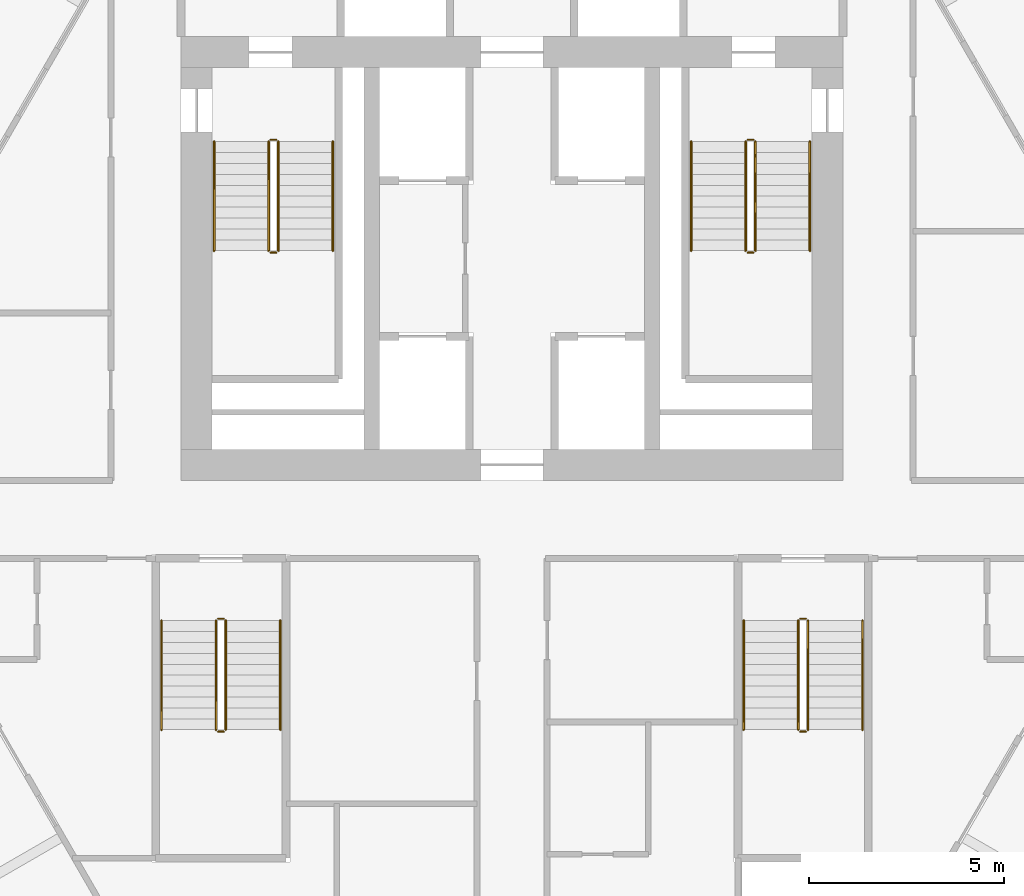
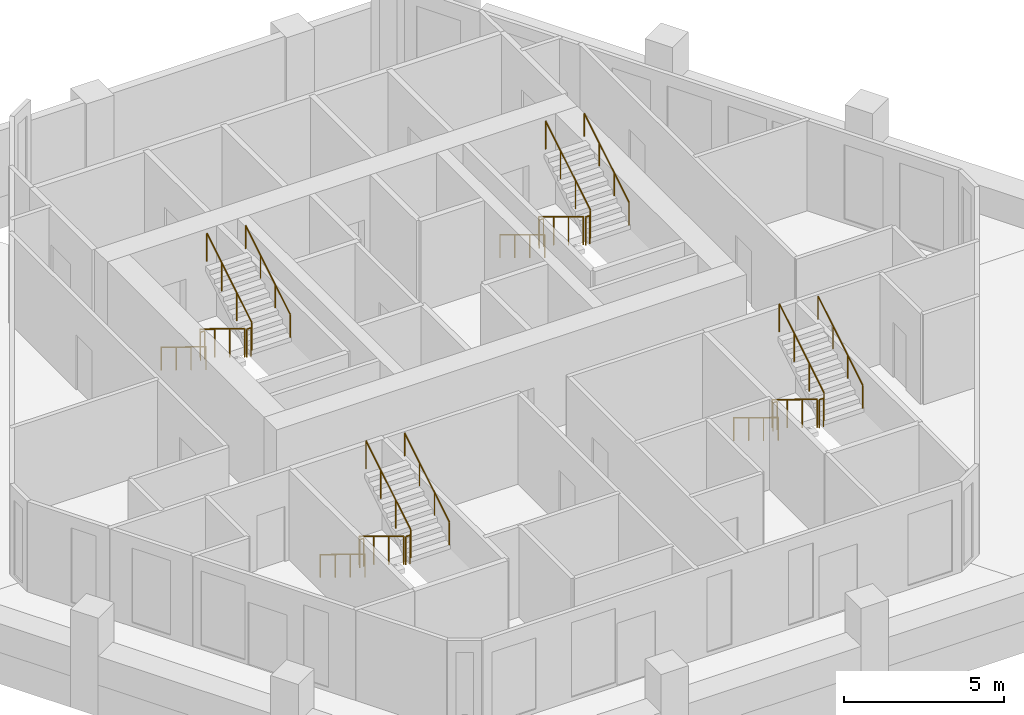
# One storey, part 7 of 7: 24 railings.
"""IFC4 building model written with IfcOpenShell, lengths in metres."""

from ifc_helpers import new_model, si_unit, direction, frame, origin, origin_2d, place, context, subcontext, project, spatial, circle, extrude, material, type_object, element, save


model = new_model("IFC4")

# Units and contexts
model_context = context("Model", 3, precision=1e-05, world=origin(), true_north=direction((0.0, 1.0)))
body_context = subcontext(model_context, "Body", "Model", "MODEL_VIEW")
ifc_project = project(units=[si_unit("LENGTHUNIT", "METRE"), si_unit("AREAUNIT", "SQUARE_METRE"), si_unit("VOLUMEUNIT", "CUBIC_METRE"), si_unit("PLANEANGLEUNIT", "RADIAN"), si_unit("MASSUNIT", "GRAM", prefix="KILO")], contexts=[model_context])

# Site, building, storey
site_placement = place(None, origin())
site = spatial("IfcSite", under=ifc_project, at=site_placement, CompositionType="ELEMENT")
building_placement = place(site_placement, origin())
building = spatial("IfcBuilding", under=site, at=building_placement, Name="Ostrander Bayou Hotel Tower", CompositionType="ELEMENT")
storey_placement = place(building_placement, frame((0.0, 0.0, 179.5)))
storey = spatial("IfcBuildingStorey", under=building, at=storey_placement, Name="L44", CompositionType="ELEMENT", Elevation=179.5)

# Railings
ifc_material_1 = material(Name="Steel ASTM A500 Gr C", Category="steel")
railing_type_1 = type_object("IfcRailingType", Name="GR1 stair guard 1100 mm steel", PredefinedType="GUARDRAIL", material=ifc_material_1)
railing_1_placement = place(storey_placement, frame((-6.25, 7.0, 0.17041015625)))
element("IfcRailing", 1, at=railing_1_placement, inside=storey, type_object=railing_type_1, Name="L44 STA stair guard 1", PredefinedType="GUARDRAIL", context=body_context, shape_type="SweptSolid", body=[
    extrude(circle(Radius=0.02392578125, at=origin_2d()), frame((0.0, 0.0, 1.076171875), z_axis=(0.0, -0.854169791009, 0.51999420009), x_axis=(1.0, 0.0, 0.0)), (0.0, 0.0, 1.0), 3.278076171875),
    extrude(circle(Radius=0.02099609375, at=origin_2d()), origin(), (0.0, 0.0, 1.0), 1.052001953125),
    extrude(circle(Radius=0.02099609375, at=origin_2d()), frame((0.0, -0.933349609375, 0.568115234375)), (0.0, 0.0, 1.0), 1.052001953125),
    extrude(circle(Radius=0.02099609375, at=origin_2d()), frame((0.0, -1.86669921875, 1.136474609375)), (0.0, 0.0, 1.0), 1.052001953125),
    extrude(circle(Radius=0.02099609375, at=origin_2d()), frame((0.0, -2.800048828125, 1.70458984375)), (0.0, 0.0, 1.0), 1.052001953125),
])
railing_2_placement = place(storey_placement, frame((-6.199951171875, 4.14990234375, 1.875)))
element("IfcRailing", 2, at=railing_2_placement, inside=storey, type_object=railing_type_1, Name="L44 STA stair guard 2", PredefinedType="GUARDRAIL", context=body_context, shape_type="SweptSolid", body=[
    extrude(circle(Radius=0.02392578125, at=origin_2d()), frame((0.0, 0.0, 1.076171875), z_axis=(1.0, 0.0, 0.0), x_axis=(0.0, 1.0, 0.0)), (0.0, 0.0, 1.0), 0.14990234375),
    extrude(circle(Radius=0.02099609375, at=origin_2d()), origin(), (0.0, 0.0, 1.0), 1.052001953125),
    extrude(circle(Radius=0.02099609375, at=origin_2d()), frame((0.14990234375, 0.0, 0.0)), (0.0, 0.0, 1.0), 1.052001953125),
])
railing_3_placement = place(storey_placement, frame((-6.0, 4.199951171875, 2.04541015625)))
element("IfcRailing", 3, at=railing_3_placement, inside=storey, type_object=railing_type_1, Name="L44 STA stair guard 3", PredefinedType="GUARDRAIL", context=body_context, shape_type="SweptSolid", body=[
    extrude(circle(Radius=0.02392578125, at=origin_2d()), frame((0.0, 0.0, 1.076171875), z_axis=(0.0, 0.854169791009, 0.51999420009), x_axis=(-1.0, 0.0, 0.0)), (0.0, 0.0, 1.0), 3.278076171875),
    extrude(circle(Radius=0.02099609375, at=origin_2d()), origin(), (0.0, 0.0, 1.0), 1.052001953125),
    extrude(circle(Radius=0.02099609375, at=origin_2d()), frame((0.0, 0.933349609375, 0.568115234375)), (0.0, 0.0, 1.0), 1.052001953125),
    extrude(circle(Radius=0.02099609375, at=origin_2d()), frame((0.0, 1.86669921875, 1.136474609375)), (0.0, 0.0, 1.0), 1.052001953125),
    extrude(circle(Radius=0.02099609375, at=origin_2d()), frame((0.0, 2.800048828125, 1.70458984375)), (0.0, 0.0, 1.0), 1.052001953125),
])
railing_4_placement = place(storey_placement, frame((-6.199951171875, 7.050048828125, 0.0)))
element("IfcRailing", 4, at=railing_4_placement, inside=storey, type_object=railing_type_1, Name="L44 STA stair guard 4", PredefinedType="GUARDRAIL", context=body_context, shape_type="SweptSolid", body=[
    extrude(circle(Radius=0.02392578125, at=origin_2d()), frame((0.0, 0.0, 1.076171875), z_axis=(1.0, 0.0, 0.0), x_axis=(0.0, 1.0, 0.0)), (0.0, 0.0, 1.0), 0.14990234375),
    extrude(circle(Radius=0.02099609375, at=origin_2d()), origin(), (0.0, 0.0, 1.0), 1.052001953125),
    extrude(circle(Radius=0.02099609375, at=origin_2d()), frame((0.14990234375, 0.0, 0.0)), (0.0, 0.0, 1.0), 1.052001953125),
])
railing_5_placement = place(storey_placement, frame((6.0, 7.0, 0.17041015625)))
element("IfcRailing", 5, at=railing_5_placement, inside=storey, type_object=railing_type_1, Name="L44 STB stair guard 1", PredefinedType="GUARDRAIL", context=body_context, shape_type="SweptSolid", body=[
    extrude(circle(Radius=0.02392578125, at=origin_2d()), frame((0.0, 0.0, 1.076171875), z_axis=(0.0, -0.854169791009, 0.51999420009), x_axis=(1.0, 0.0, 0.0)), (0.0, 0.0, 1.0), 3.278076171875),
    extrude(circle(Radius=0.02099609375, at=origin_2d()), origin(), (0.0, 0.0, 1.0), 1.052001953125),
    extrude(circle(Radius=0.02099609375, at=origin_2d()), frame((0.0, -0.933349609375, 0.568115234375)), (0.0, 0.0, 1.0), 1.052001953125),
    extrude(circle(Radius=0.02099609375, at=origin_2d()), frame((0.0, -1.86669921875, 1.136474609375)), (0.0, 0.0, 1.0), 1.052001953125),
    extrude(circle(Radius=0.02099609375, at=origin_2d()), frame((0.0, -2.800048828125, 1.70458984375)), (0.0, 0.0, 1.0), 1.052001953125),
])
railing_6_placement = place(storey_placement, frame((6.050048828125, 4.14990234375, 1.875)))
element("IfcRailing", 6, at=railing_6_placement, inside=storey, type_object=railing_type_1, Name="L44 STB stair guard 2", PredefinedType="GUARDRAIL", context=body_context, shape_type="SweptSolid", body=[
    extrude(circle(Radius=0.02392578125, at=origin_2d()), frame((0.0, 0.0, 1.076171875), z_axis=(1.0, 0.0, 0.0), x_axis=(0.0, 1.0, 0.0)), (0.0, 0.0, 1.0), 0.14990234375),
    extrude(circle(Radius=0.02099609375, at=origin_2d()), origin(), (0.0, 0.0, 1.0), 1.052001953125),
    extrude(circle(Radius=0.02099609375, at=origin_2d()), frame((0.14990234375, 0.0, 0.0)), (0.0, 0.0, 1.0), 1.052001953125),
])
railing_7_placement = place(storey_placement, frame((6.25, 4.199951171875, 2.04541015625)))
element("IfcRailing", 7, at=railing_7_placement, inside=storey, type_object=railing_type_1, Name="L44 STB stair guard 3", PredefinedType="GUARDRAIL", context=body_context, shape_type="SweptSolid", body=[
    extrude(circle(Radius=0.02392578125, at=origin_2d()), frame((0.0, 0.0, 1.076171875), z_axis=(0.0, 0.854169791009, 0.51999420009), x_axis=(-1.0, 0.0, 0.0)), (0.0, 0.0, 1.0), 3.278076171875),
    extrude(circle(Radius=0.02099609375, at=origin_2d()), origin(), (0.0, 0.0, 1.0), 1.052001953125),
    extrude(circle(Radius=0.02099609375, at=origin_2d()), frame((0.0, 0.933349609375, 0.568115234375)), (0.0, 0.0, 1.0), 1.052001953125),
    extrude(circle(Radius=0.02099609375, at=origin_2d()), frame((0.0, 1.86669921875, 1.136474609375)), (0.0, 0.0, 1.0), 1.052001953125),
    extrude(circle(Radius=0.02099609375, at=origin_2d()), frame((0.0, 2.800048828125, 1.70458984375)), (0.0, 0.0, 1.0), 1.052001953125),
])
railing_8_placement = place(storey_placement, frame((6.050048828125, 7.050048828125, 0.0)))
element("IfcRailing", 8, at=railing_8_placement, inside=storey, type_object=railing_type_1, Name="L44 STB stair guard 4", PredefinedType="GUARDRAIL", context=body_context, shape_type="SweptSolid", body=[
    extrude(circle(Radius=0.02392578125, at=origin_2d()), frame((0.0, 0.0, 1.076171875), z_axis=(1.0, 0.0, 0.0), x_axis=(0.0, 1.0, 0.0)), (0.0, 0.0, 1.0), 0.14990234375),
    extrude(circle(Radius=0.02099609375, at=origin_2d()), origin(), (0.0, 0.0, 1.0), 1.052001953125),
    extrude(circle(Radius=0.02099609375, at=origin_2d()), frame((0.14990234375, 0.0, 0.0)), (0.0, 0.0, 1.0), 1.052001953125),
])
railing_9_placement = place(storey_placement, frame((7.35009765625, -5.300048828125, 0.17041015625)))
element("IfcRailing", 9, at=railing_9_placement, inside=storey, type_object=railing_type_1, Name="L44 STC stair guard 1", PredefinedType="GUARDRAIL", context=body_context, shape_type="SweptSolid", body=[
    extrude(circle(Radius=0.02392578125, at=origin_2d()), frame((0.0, 0.0, 1.076171875), z_axis=(0.0, -0.854169791009, 0.51999420009), x_axis=(1.0, 0.0, 0.0)), (0.0, 0.0, 1.0), 3.278076171875),
    extrude(circle(Radius=0.02099609375, at=origin_2d()), origin(), (0.0, 0.0, 1.0), 1.052001953125),
    extrude(circle(Radius=0.02099609375, at=origin_2d()), frame((0.0, -0.933349609375, 0.568115234375)), (0.0, 0.0, 1.0), 1.052001953125),
    extrude(circle(Radius=0.02099609375, at=origin_2d()), frame((0.0, -1.86669921875, 1.136474609375)), (0.0, 0.0, 1.0), 1.052001953125),
    extrude(circle(Radius=0.02099609375, at=origin_2d()), frame((0.0, -2.800048828125, 1.70458984375)), (0.0, 0.0, 1.0), 1.052001953125),
])
railing_10_placement = place(storey_placement, frame((7.39990234375, -8.14990234375, 1.875)))
element("IfcRailing", 10, at=railing_10_placement, inside=storey, type_object=railing_type_1, Name="L44 STC stair guard 2", PredefinedType="GUARDRAIL", context=body_context, shape_type="SweptSolid", body=[
    extrude(circle(Radius=0.02392578125, at=origin_2d()), frame((0.0, 0.0, 1.076171875), z_axis=(1.0, 0.0, 0.0), x_axis=(0.0, 1.0, 0.0)), (0.0, 0.0, 1.0), 0.150146484375),
    extrude(circle(Radius=0.02099609375, at=origin_2d()), origin(), (0.0, 0.0, 1.0), 1.052001953125),
    extrude(circle(Radius=0.02099609375, at=origin_2d()), frame((0.150146484375, 0.0, 0.0)), (0.0, 0.0, 1.0), 1.052001953125),
])
railing_11_placement = place(storey_placement, frame((7.60009765625, -8.10009765625, 2.04541015625)))
element("IfcRailing", 11, at=railing_11_placement, inside=storey, type_object=railing_type_1, Name="L44 STC stair guard 3", PredefinedType="GUARDRAIL", context=body_context, shape_type="SweptSolid", body=[
    extrude(circle(Radius=0.02392578125, at=origin_2d()), frame((0.0, 0.0, 1.076171875), z_axis=(0.0, 0.854169791009, 0.51999420009), x_axis=(-1.0, 0.0, 0.0)), (0.0, 0.0, 1.0), 3.278076171875),
    extrude(circle(Radius=0.02099609375, at=origin_2d()), origin(), (0.0, 0.0, 1.0), 1.052001953125),
    extrude(circle(Radius=0.02099609375, at=origin_2d()), frame((0.0, 0.933349609375, 0.568115234375)), (0.0, 0.0, 1.0), 1.052001953125),
    extrude(circle(Radius=0.02099609375, at=origin_2d()), frame((0.0, 1.86669921875, 1.136474609375)), (0.0, 0.0, 1.0), 1.052001953125),
    extrude(circle(Radius=0.02099609375, at=origin_2d()), frame((0.0, 2.800048828125, 1.70458984375)), (0.0, 0.0, 1.0), 1.052001953125),
])
railing_12_placement = place(storey_placement, frame((7.39990234375, -5.25, 0.0)))
element("IfcRailing", 12, at=railing_12_placement, inside=storey, type_object=railing_type_1, Name="L44 STC stair guard 4", PredefinedType="GUARDRAIL", context=body_context, shape_type="SweptSolid", body=[
    extrude(circle(Radius=0.02392578125, at=origin_2d()), frame((0.0, 0.0, 1.076171875), z_axis=(1.0, 0.0, 0.0), x_axis=(0.0, 1.0, 0.0)), (0.0, 0.0, 1.0), 0.150146484375),
    extrude(circle(Radius=0.02099609375, at=origin_2d()), origin(), (0.0, 0.0, 1.0), 1.052001953125),
    extrude(circle(Radius=0.02099609375, at=origin_2d()), frame((0.150146484375, 0.0, 0.0)), (0.0, 0.0, 1.0), 1.052001953125),
])
railing_13_placement = place(storey_placement, frame((-7.60009765625, -5.300048828125, 0.17041015625)))
element("IfcRailing", 13, at=railing_13_placement, inside=storey, type_object=railing_type_1, Name="L44 STD stair guard 1", PredefinedType="GUARDRAIL", context=body_context, shape_type="SweptSolid", body=[
    extrude(circle(Radius=0.02392578125, at=origin_2d()), frame((0.0, 0.0, 1.076171875), z_axis=(0.0, -0.854169791009, 0.51999420009), x_axis=(1.0, 0.0, 0.0)), (0.0, 0.0, 1.0), 3.278076171875),
    extrude(circle(Radius=0.02099609375, at=origin_2d()), origin(), (0.0, 0.0, 1.0), 1.052001953125),
    extrude(circle(Radius=0.02099609375, at=origin_2d()), frame((0.0, -0.933349609375, 0.568115234375)), (0.0, 0.0, 1.0), 1.052001953125),
    extrude(circle(Radius=0.02099609375, at=origin_2d()), frame((0.0, -1.86669921875, 1.136474609375)), (0.0, 0.0, 1.0), 1.052001953125),
    extrude(circle(Radius=0.02099609375, at=origin_2d()), frame((0.0, -2.800048828125, 1.70458984375)), (0.0, 0.0, 1.0), 1.052001953125),
])
railing_14_placement = place(storey_placement, frame((-7.550048828125, -8.14990234375, 1.875)))
element("IfcRailing", 14, at=railing_14_placement, inside=storey, type_object=railing_type_1, Name="L44 STD stair guard 2", PredefinedType="GUARDRAIL", context=body_context, shape_type="SweptSolid", body=[
    extrude(circle(Radius=0.02392578125, at=origin_2d()), frame((0.0, 0.0, 1.076171875), z_axis=(1.0, 0.0, 0.0), x_axis=(0.0, 1.0, 0.0)), (0.0, 0.0, 1.0), 0.150146484375),
    extrude(circle(Radius=0.02099609375, at=origin_2d()), origin(), (0.0, 0.0, 1.0), 1.052001953125),
    extrude(circle(Radius=0.02099609375, at=origin_2d()), frame((0.150146484375, 0.0, 0.0)), (0.0, 0.0, 1.0), 1.052001953125),
])
railing_15_placement = place(storey_placement, frame((-7.35009765625, -8.10009765625, 2.04541015625)))
element("IfcRailing", 15, at=railing_15_placement, inside=storey, type_object=railing_type_1, Name="L44 STD stair guard 3", PredefinedType="GUARDRAIL", context=body_context, shape_type="SweptSolid", body=[
    extrude(circle(Radius=0.02392578125, at=origin_2d()), frame((0.0, 0.0, 1.076171875), z_axis=(0.0, 0.854169791009, 0.51999420009), x_axis=(-1.0, 0.0, 0.0)), (0.0, 0.0, 1.0), 3.278076171875),
    extrude(circle(Radius=0.02099609375, at=origin_2d()), origin(), (0.0, 0.0, 1.0), 1.052001953125),
    extrude(circle(Radius=0.02099609375, at=origin_2d()), frame((0.0, 0.933349609375, 0.568115234375)), (0.0, 0.0, 1.0), 1.052001953125),
    extrude(circle(Radius=0.02099609375, at=origin_2d()), frame((0.0, 1.86669921875, 1.136474609375)), (0.0, 0.0, 1.0), 1.052001953125),
    extrude(circle(Radius=0.02099609375, at=origin_2d()), frame((0.0, 2.800048828125, 1.70458984375)), (0.0, 0.0, 1.0), 1.052001953125),
])
railing_16_placement = place(storey_placement, frame((-7.550048828125, -5.25, 0.0)))
element("IfcRailing", 16, at=railing_16_placement, inside=storey, type_object=railing_type_1, Name="L44 STD stair guard 4", PredefinedType="GUARDRAIL", context=body_context, shape_type="SweptSolid", body=[
    extrude(circle(Radius=0.02392578125, at=origin_2d()), frame((0.0, 0.0, 1.076171875), z_axis=(1.0, 0.0, 0.0), x_axis=(0.0, 1.0, 0.0)), (0.0, 0.0, 1.0), 0.150146484375),
    extrude(circle(Radius=0.02099609375, at=origin_2d()), origin(), (0.0, 0.0, 1.0), 1.052001953125),
    extrude(circle(Radius=0.02099609375, at=origin_2d()), frame((0.150146484375, 0.0, 0.0)), (0.0, 0.0, 1.0), 1.052001953125),
])
ifc_material_2 = material(Name="Steel ASTM A500 Gr C", Category="steel")
railing_type_2 = type_object("IfcRailingType", Name="HR1 stair handrail 900 mm steel", PredefinedType="HANDRAIL", material=ifc_material_2)
railing_17_placement = place(storey_placement, frame((-7.64990234375, 7.0, 0.17041015625)))
element("IfcRailing", 17, at=railing_17_placement, inside=storey, type_object=railing_type_2, Name="L44 STA stair handrail 1", PredefinedType="HANDRAIL", context=body_context, shape_type="SweptSolid", body=[
    extrude(circle(Radius=0.02392578125, at=origin_2d()), frame((0.0, 0.0, 0.8759765625), z_axis=(0.0, -0.854169791009, 0.51999420009), x_axis=(1.0, 0.0, 0.0)), (0.0, 0.0, 1.0), 3.278076171875),
    extrude(circle(Radius=0.02099609375, at=origin_2d()), origin(), (0.0, 0.0, 1.0), 0.851806640625),
    extrude(circle(Radius=0.02099609375, at=origin_2d()), frame((0.0, -0.933349609375, 0.568115234375)), (0.0, 0.0, 1.0), 0.851806640625),
    extrude(circle(Radius=0.02099609375, at=origin_2d()), frame((0.0, -1.86669921875, 1.136474609375)), (0.0, 0.0, 1.0), 0.851806640625),
    extrude(circle(Radius=0.02099609375, at=origin_2d()), frame((0.0, -2.800048828125, 1.70458984375)), (0.0, 0.0, 1.0), 0.851806640625),
])
railing_18_placement = place(storey_placement, frame((-4.60009765625, 4.199951171875, 2.04541015625)))
element("IfcRailing", 18, at=railing_18_placement, inside=storey, type_object=railing_type_2, Name="L44 STA stair handrail 2", PredefinedType="HANDRAIL", context=body_context, shape_type="SweptSolid", body=[
    extrude(circle(Radius=0.02392578125, at=origin_2d()), frame((0.0, 0.0, 0.8759765625), z_axis=(0.0, 0.854169791009, 0.51999420009), x_axis=(-1.0, 0.0, 0.0)), (0.0, 0.0, 1.0), 3.278076171875),
    extrude(circle(Radius=0.02099609375, at=origin_2d()), origin(), (0.0, 0.0, 1.0), 0.851806640625),
    extrude(circle(Radius=0.02099609375, at=origin_2d()), frame((0.0, 0.933349609375, 0.568115234375)), (0.0, 0.0, 1.0), 0.851806640625),
    extrude(circle(Radius=0.02099609375, at=origin_2d()), frame((0.0, 1.86669921875, 1.136474609375)), (0.0, 0.0, 1.0), 0.851806640625),
    extrude(circle(Radius=0.02099609375, at=origin_2d()), frame((0.0, 2.800048828125, 1.70458984375)), (0.0, 0.0, 1.0), 0.851806640625),
])
railing_19_placement = place(storey_placement, frame((4.60009765625, 7.0, 0.17041015625)))
element("IfcRailing", 19, at=railing_19_placement, inside=storey, type_object=railing_type_2, Name="L44 STB stair handrail 1", PredefinedType="HANDRAIL", context=body_context, shape_type="SweptSolid", body=[
    extrude(circle(Radius=0.02392578125, at=origin_2d()), frame((0.0, 0.0, 0.8759765625), z_axis=(0.0, -0.854169791009, 0.51999420009), x_axis=(1.0, 0.0, 0.0)), (0.0, 0.0, 1.0), 3.278076171875),
    extrude(circle(Radius=0.02099609375, at=origin_2d()), origin(), (0.0, 0.0, 1.0), 0.851806640625),
    extrude(circle(Radius=0.02099609375, at=origin_2d()), frame((0.0, -0.933349609375, 0.568115234375)), (0.0, 0.0, 1.0), 0.851806640625),
    extrude(circle(Radius=0.02099609375, at=origin_2d()), frame((0.0, -1.86669921875, 1.136474609375)), (0.0, 0.0, 1.0), 0.851806640625),
    extrude(circle(Radius=0.02099609375, at=origin_2d()), frame((0.0, -2.800048828125, 1.70458984375)), (0.0, 0.0, 1.0), 0.851806640625),
])
railing_20_placement = place(storey_placement, frame((7.64990234375, 4.199951171875, 2.04541015625)))
element("IfcRailing", 20, at=railing_20_placement, inside=storey, type_object=railing_type_2, Name="L44 STB stair handrail 2", PredefinedType="HANDRAIL", context=body_context, shape_type="SweptSolid", body=[
    extrude(circle(Radius=0.02392578125, at=origin_2d()), frame((0.0, 0.0, 0.8759765625), z_axis=(0.0, 0.854169791009, 0.51999420009), x_axis=(-1.0, 0.0, 0.0)), (0.0, 0.0, 1.0), 3.278076171875),
    extrude(circle(Radius=0.02099609375, at=origin_2d()), origin(), (0.0, 0.0, 1.0), 0.851806640625),
    extrude(circle(Radius=0.02099609375, at=origin_2d()), frame((0.0, 0.933349609375, 0.568115234375)), (0.0, 0.0, 1.0), 0.851806640625),
    extrude(circle(Radius=0.02099609375, at=origin_2d()), frame((0.0, 1.86669921875, 1.136474609375)), (0.0, 0.0, 1.0), 0.851806640625),
    extrude(circle(Radius=0.02099609375, at=origin_2d()), frame((0.0, 2.800048828125, 1.70458984375)), (0.0, 0.0, 1.0), 0.851806640625),
])
railing_21_placement = place(storey_placement, frame((5.949951171875, -5.300048828125, 0.17041015625)))
element("IfcRailing", 21, at=railing_21_placement, inside=storey, type_object=railing_type_2, Name="L44 STC stair handrail 1", PredefinedType="HANDRAIL", context=body_context, shape_type="SweptSolid", body=[
    extrude(circle(Radius=0.02392578125, at=origin_2d()), frame((0.0, 0.0, 0.8759765625), z_axis=(0.0, -0.854169791009, 0.51999420009), x_axis=(1.0, 0.0, 0.0)), (0.0, 0.0, 1.0), 3.278076171875),
    extrude(circle(Radius=0.02099609375, at=origin_2d()), origin(), (0.0, 0.0, 1.0), 0.851806640625),
    extrude(circle(Radius=0.02099609375, at=origin_2d()), frame((0.0, -0.933349609375, 0.568115234375)), (0.0, 0.0, 1.0), 0.851806640625),
    extrude(circle(Radius=0.02099609375, at=origin_2d()), frame((0.0, -1.86669921875, 1.136474609375)), (0.0, 0.0, 1.0), 0.851806640625),
    extrude(circle(Radius=0.02099609375, at=origin_2d()), frame((0.0, -2.800048828125, 1.70458984375)), (0.0, 0.0, 1.0), 0.851806640625),
])
railing_22_placement = place(storey_placement, frame((9.0, -8.10009765625, 2.04541015625)))
element("IfcRailing", 22, at=railing_22_placement, inside=storey, type_object=railing_type_2, Name="L44 STC stair handrail 2", PredefinedType="HANDRAIL", context=body_context, shape_type="SweptSolid", body=[
    extrude(circle(Radius=0.02392578125, at=origin_2d()), frame((0.0, 0.0, 0.8759765625), z_axis=(0.0, 0.854169791009, 0.51999420009), x_axis=(-1.0, 0.0, 0.0)), (0.0, 0.0, 1.0), 3.278076171875),
    extrude(circle(Radius=0.02099609375, at=origin_2d()), origin(), (0.0, 0.0, 1.0), 0.851806640625),
    extrude(circle(Radius=0.02099609375, at=origin_2d()), frame((0.0, 0.933349609375, 0.568115234375)), (0.0, 0.0, 1.0), 0.851806640625),
    extrude(circle(Radius=0.02099609375, at=origin_2d()), frame((0.0, 1.86669921875, 1.136474609375)), (0.0, 0.0, 1.0), 0.851806640625),
    extrude(circle(Radius=0.02099609375, at=origin_2d()), frame((0.0, 2.800048828125, 1.70458984375)), (0.0, 0.0, 1.0), 0.851806640625),
])
railing_23_placement = place(storey_placement, frame((-9.0, -5.300048828125, 0.17041015625)))
element("IfcRailing", 23, at=railing_23_placement, inside=storey, type_object=railing_type_2, Name="L44 STD stair handrail 1", PredefinedType="HANDRAIL", context=body_context, shape_type="SweptSolid", body=[
    extrude(circle(Radius=0.02392578125, at=origin_2d()), frame((0.0, 0.0, 0.8759765625), z_axis=(0.0, -0.854169791009, 0.51999420009), x_axis=(1.0, 0.0, 0.0)), (0.0, 0.0, 1.0), 3.278076171875),
    extrude(circle(Radius=0.02099609375, at=origin_2d()), origin(), (0.0, 0.0, 1.0), 0.851806640625),
    extrude(circle(Radius=0.02099609375, at=origin_2d()), frame((0.0, -0.933349609375, 0.568115234375)), (0.0, 0.0, 1.0), 0.851806640625),
    extrude(circle(Radius=0.02099609375, at=origin_2d()), frame((0.0, -1.86669921875, 1.136474609375)), (0.0, 0.0, 1.0), 0.851806640625),
    extrude(circle(Radius=0.02099609375, at=origin_2d()), frame((0.0, -2.800048828125, 1.70458984375)), (0.0, 0.0, 1.0), 0.851806640625),
])
railing_24_placement = place(storey_placement, frame((-5.949951171875, -8.10009765625, 2.04541015625)))
element("IfcRailing", 24, at=railing_24_placement, inside=storey, type_object=railing_type_2, Name="L44 STD stair handrail 2", PredefinedType="HANDRAIL", context=body_context, shape_type="SweptSolid", body=[
    extrude(circle(Radius=0.02392578125, at=origin_2d()), frame((0.0, 0.0, 0.8759765625), z_axis=(0.0, 0.854169791009, 0.51999420009), x_axis=(-1.0, 0.0, 0.0)), (0.0, 0.0, 1.0), 3.278076171875),
    extrude(circle(Radius=0.02099609375, at=origin_2d()), origin(), (0.0, 0.0, 1.0), 0.851806640625),
    extrude(circle(Radius=0.02099609375, at=origin_2d()), frame((0.0, 0.933349609375, 0.568115234375)), (0.0, 0.0, 1.0), 0.851806640625),
    extrude(circle(Radius=0.02099609375, at=origin_2d()), frame((0.0, 1.86669921875, 1.136474609375)), (0.0, 0.0, 1.0), 0.851806640625),
    extrude(circle(Radius=0.02099609375, at=origin_2d()), frame((0.0, 2.800048828125, 1.70458984375)), (0.0, 0.0, 1.0), 0.851806640625),
])

save(model, "model.ifc")
